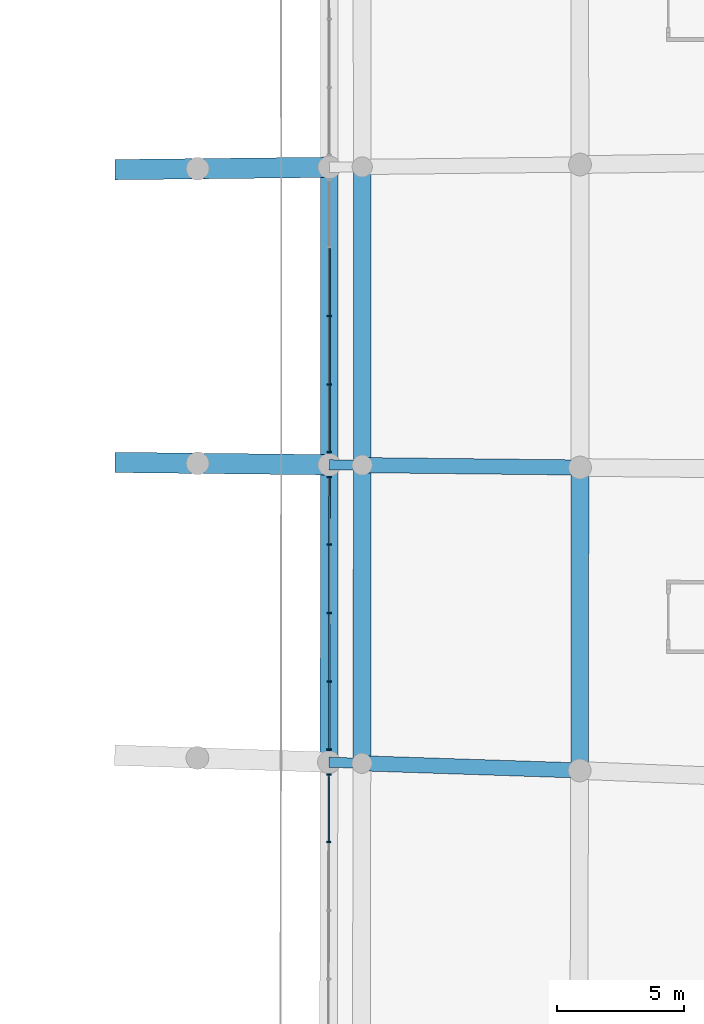
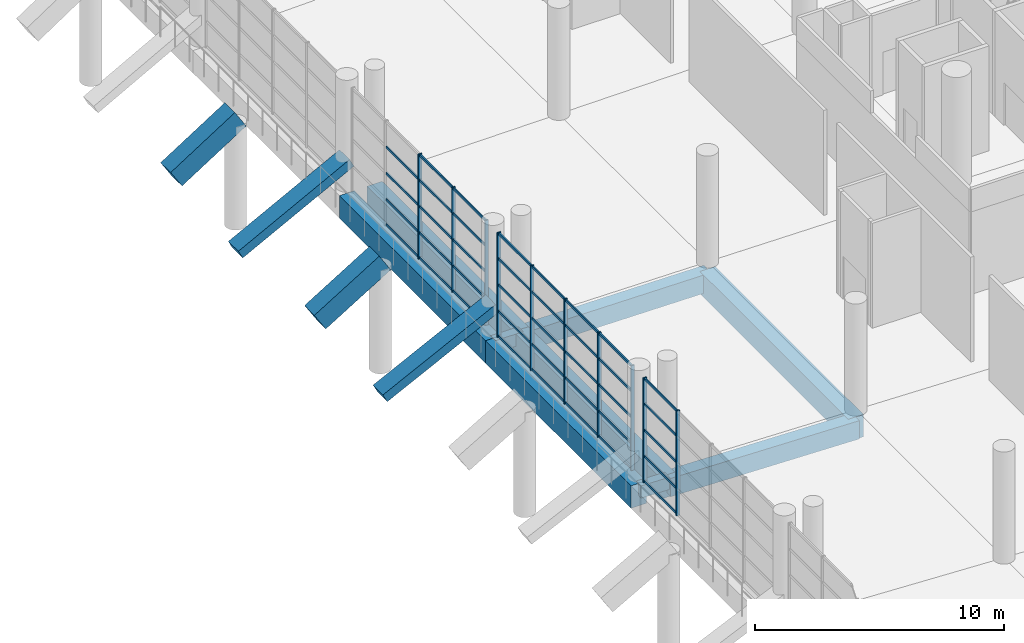
# One storey, part 56 of 271: 49 members, 13 beams, 3 elements without a shape of their own.
"""IFC4 building model written with IfcOpenShell, lengths in metres."""

from ifc_helpers import new_model, si_unit, direction, frame, origin, origin_2d, place, context, subcontext, project, spatial, rectangle, extrude, material, layer, layer_set, material_profile, profile_set, type_object, element, aggregate, save


model = new_model("IFC4")

# Units and contexts
model_context = context("Model", 3, precision=1e-05, world=origin(), true_north=direction((0.0, 1.0)))
body_context = subcontext(model_context, "Body", "Model", "MODEL_VIEW")
ifc_project = project(units=[si_unit("LENGTHUNIT", "METRE"), si_unit("AREAUNIT", "SQUARE_METRE"), si_unit("VOLUMEUNIT", "CUBIC_METRE"), si_unit("PLANEANGLEUNIT", "RADIAN"), si_unit("MASSUNIT", "GRAM", prefix="KILO")], contexts=[model_context])

# Site, building, storey
site_placement = place(None, origin())
site = spatial("IfcSite", under=ifc_project, at=site_placement, CompositionType="ELEMENT")
building_placement = place(site_placement, origin())
building = spatial("IfcBuilding", under=site, at=building_placement, Name="Meseta Stadium", CompositionType="ELEMENT")
storey_placement = place(building_placement, frame((0.0, 0.0, 6.5)))
storey = spatial("IfcBuildingStorey", under=building, at=storey_placement, Name="L01", CompositionType="ELEMENT", Elevation=6.5)

# Curtain wall, members
ifc_material_1 = material(Name="Aluminium", Category="aluminium")
ifc_layer = layer(ifc_material_1, 0.199951171875)
ifc_layer_set = layer_set([ifc_layer], Name="Club glazing curtain wall")
curtain_wall_type = type_object("IfcCurtainWallType", Name="Club glazing curtain wall", PredefinedType="NOTDEFINED", material=ifc_layer_set)
curtain_wall_1_placement = place(storey_placement, origin())
curtain_wall_1 = element("IfcCurtainWall", 1, at=curtain_wall_1_placement, inside=storey, type_object=curtain_wall_type, Name="Club glazing bay 02", PredefinedType="NOTDEFINED")
ifc_material_2 = material(Name="Aluminium", Category="aluminium")
ifc_material_profile_1 = material_profile(ifc_material_2, rectangle(XDim=0.159912109375, YDim=0.06005859375, at=origin_2d()), Name="CW 160x60")
ifc_profile_set_1 = profile_set([ifc_material_profile_1], Name="Aluminium")
member_type_1 = type_object("IfcMemberType", Name="CW mullion 60x160", PredefinedType="MULLION", material=ifc_profile_set_1)
member_1_placement = place(storey_placement, frame((63.58203125, -20.771728515625, 0.0), z_axis=(0.0, 0.0, 1.0), x_axis=(-0.999998297516, 0.0018452545, 0.0)))
member_1 = element("IfcMember", 2, at=member_1_placement, type_object=member_type_1, Name="CWC mullion 4", PredefinedType="MULLION", context=body_context, shape_type="SweptSolid", body=[
    extrude(rectangle(XDim=0.159912109375, YDim=0.06005859375, at=origin_2d()), origin(), (0.0, 0.0, 1.0), 5.14990234375),
])
member_2_placement = place(storey_placement, frame((63.5869140625, -18.097900390625, 0.0), z_axis=(0.0, 0.0, 1.0), x_axis=(-0.999998297516, 0.0018452545, 0.0)))
member_2 = element("IfcMember", 3, at=member_2_placement, type_object=member_type_1, Name="CWC mullion 5", PredefinedType="MULLION", context=body_context, shape_type="SweptSolid", body=[
    extrude(rectangle(XDim=0.159912109375, YDim=0.06005859375, at=origin_2d()), origin(), (0.0, 0.0, 1.0), 5.14990234375),
])

curtain_wall_2_placement = place(storey_placement, origin())
curtain_wall_2 = element("IfcCurtainWall", 4, at=curtain_wall_2_placement, inside=storey, type_object=curtain_wall_type, Name="Club glazing bay 03", PredefinedType="NOTDEFINED")
member_3_placement = place(storey_placement, frame((63.588134765625, -17.10888671875, 0.0), z_axis=(0.0, 0.0, 1.0), x_axis=(-0.999999572613, 0.000924539991, 0.0)))
member_3 = element("IfcMember", 5, at=member_3_placement, type_object=member_type_1, Name="CWC mullion 1", PredefinedType="MULLION", context=body_context, shape_type="SweptSolid", body=[
    extrude(rectangle(XDim=0.159912109375, YDim=0.06005859375, at=origin_2d()), origin(), (0.0, 0.0, 1.0), 5.14990234375),
])
member_4_placement = place(storey_placement, frame((63.5908203125, -14.434814453125, 0.0), z_axis=(0.0, 0.0, 1.0), x_axis=(-0.999999572613, 0.000924539991, 0.0)))
member_4 = element("IfcMember", 6, at=member_4_placement, type_object=member_type_1, Name="CWC mullion 2", PredefinedType="MULLION", context=body_context, shape_type="SweptSolid", body=[
    extrude(rectangle(XDim=0.159912109375, YDim=0.06005859375, at=origin_2d()), origin(), (0.0, 0.0, 1.0), 5.14990234375),
])
member_5_placement = place(storey_placement, frame((63.59326171875, -11.730712890625, 0.0), z_axis=(0.0, 0.0, 1.0), x_axis=(-0.999999572613, 0.000924539991, 0.0)))
member_5 = element("IfcMember", 7, at=member_5_placement, type_object=member_type_1, Name="CWC mullion 3", PredefinedType="MULLION", context=body_context, shape_type="SweptSolid", body=[
    extrude(rectangle(XDim=0.159912109375, YDim=0.06005859375, at=origin_2d()), origin(), (0.0, 0.0, 1.0), 5.14990234375),
])
member_6_placement = place(storey_placement, frame((63.595703125, -9.02685546875, 0.0), z_axis=(0.0, 0.0, 1.0), x_axis=(-0.999999572613, 0.000924539991, 0.0)))
member_6 = element("IfcMember", 8, at=member_6_placement, type_object=member_type_1, Name="CWC mullion 4", PredefinedType="MULLION", context=body_context, shape_type="SweptSolid", body=[
    extrude(rectangle(XDim=0.159912109375, YDim=0.06005859375, at=origin_2d()), origin(), (0.0, 0.0, 1.0), 5.14990234375),
])
member_7_placement = place(storey_placement, frame((63.59814453125, -6.352783203125, 0.0), z_axis=(0.0, 0.0, 1.0), x_axis=(-0.999999572613, 0.000924539991, 0.0)))
member_7 = element("IfcMember", 9, at=member_7_placement, type_object=member_type_1, Name="CWC mullion 5", PredefinedType="MULLION", context=body_context, shape_type="SweptSolid", body=[
    extrude(rectangle(XDim=0.159912109375, YDim=0.06005859375, at=origin_2d()), origin(), (0.0, 0.0, 1.0), 5.14990234375),
])

curtain_wall_3_placement = place(storey_placement, origin())
curtain_wall_3 = element("IfcCurtainWall", 10, at=curtain_wall_3_placement, inside=storey, type_object=curtain_wall_type, Name="Club glazing bay 04", PredefinedType="NOTDEFINED")
member_8_placement = place(storey_placement, frame((63.5986328125, -5.36376953125, 0.0), z_axis=(0.0, 0.0, 1.0), x_axis=(-1.0, 0.0, 0.0)))
member_8 = element("IfcMember", 11, at=member_8_placement, type_object=member_type_1, Name="CWC mullion 1", PredefinedType="MULLION", context=body_context, shape_type="SweptSolid", body=[
    extrude(rectangle(XDim=0.159912109375, YDim=0.06005859375, at=origin_2d()), origin(), (0.0, 0.0, 1.0), 5.14990234375),
])
member_9_placement = place(storey_placement, frame((63.5986328125, -2.697021484375, 0.0), z_axis=(0.0, 0.0, 1.0), x_axis=(-1.0, 0.0, 0.0)))
member_9 = element("IfcMember", 12, at=member_9_placement, type_object=member_type_1, Name="CWC mullion 2", PredefinedType="MULLION", context=body_context, shape_type="SweptSolid", body=[
    extrude(rectangle(XDim=0.159912109375, YDim=0.06005859375, at=origin_2d()), origin(), (0.0, 0.0, 1.0), 5.14990234375),
])
member_10_placement = place(storey_placement, frame((63.5986328125, 0.0, 0.0), z_axis=(0.0, 0.0, 1.0), x_axis=(-1.0, 0.0, 0.0)))
member_10 = element("IfcMember", 13, at=member_10_placement, type_object=member_type_1, Name="CWC mullion 3", PredefinedType="MULLION", context=body_context, shape_type="SweptSolid", body=[
    extrude(rectangle(XDim=0.159912109375, YDim=0.06005859375, at=origin_2d()), origin(), (0.0, 0.0, 1.0), 5.14990234375),
])

# Member
ifc_material_3 = material(Name="Aluminium", Category="aluminium")
ifc_material_profile_2 = material_profile(ifc_material_3, rectangle(XDim=0.06005859375, YDim=0.1201171875, at=origin_2d()), Name="CW 60x120")
ifc_profile_set_2 = profile_set([ifc_material_profile_2], Name="Aluminium")
member_type_2 = type_object("IfcMemberType", Name="CW transom 60x120", PredefinedType="USERDEFINED", material=ifc_profile_set_2)
member_11_placement = place(storey_placement, frame((63.58203125, -20.74169921875, 0.06005859375), z_axis=(0.00186810808, 0.999998255085, 0.0), x_axis=(-0.999998255085, 0.00186810808, 0.0)))
member_11 = element("IfcMember", 14, at=member_11_placement, type_object=member_type_2, Name="CWC transom 4.1", ObjectType="TRANSOM", PredefinedType="USERDEFINED", context=body_context, shape_type="SweptSolid", body=[
    extrude(rectangle(XDim=0.06005859375, YDim=0.1201171875, at=origin_2d()), origin(), (0.0, 0.0, 1.0), 2.61376953125),
])

member_12_placement = place(storey_placement, frame((63.58203125, -20.74169921875, 1.28759765625), z_axis=(0.00186810808, 0.999998255085, 0.0), x_axis=(-0.999998255085, 0.00186810808, 0.0)))
member_12 = element("IfcMember", 15, at=member_12_placement, type_object=member_type_2, Name="CWC transom 4.2", ObjectType="TRANSOM", PredefinedType="USERDEFINED", context=body_context, shape_type="SweptSolid", body=[
    extrude(rectangle(XDim=0.06005859375, YDim=0.1201171875, at=origin_2d()), origin(), (0.0, 0.0, 1.0), 2.61376953125),
])

member_13_placement = place(storey_placement, frame((63.58203125, -20.74169921875, 2.574951171875), z_axis=(0.00186810808, 0.999998255085, 0.0), x_axis=(-0.999998255085, 0.00186810808, 0.0)))
member_13 = element("IfcMember", 16, at=member_13_placement, type_object=member_type_2, Name="CWC transom 4.3", ObjectType="TRANSOM", PredefinedType="USERDEFINED", context=body_context, shape_type="SweptSolid", body=[
    extrude(rectangle(XDim=0.06005859375, YDim=0.1201171875, at=origin_2d()), origin(), (0.0, 0.0, 1.0), 2.61376953125),
])

member_14_placement = place(storey_placement, frame((63.58203125, -20.74169921875, 3.862548828125), z_axis=(0.00186810808, 0.999998255085, 0.0), x_axis=(-0.999998255085, 0.00186810808, 0.0)))
member_14 = element("IfcMember", 17, at=member_14_placement, type_object=member_type_2, Name="CWC transom 4.4", ObjectType="TRANSOM", PredefinedType="USERDEFINED", context=body_context, shape_type="SweptSolid", body=[
    extrude(rectangle(XDim=0.06005859375, YDim=0.1201171875, at=origin_2d()), origin(), (0.0, 0.0, 1.0), 2.61376953125),
])

member_15_placement = place(storey_placement, frame((63.58203125, -20.74169921875, 5.090087890625), z_axis=(0.00186810808, 0.999998255085, 0.0), x_axis=(-0.999998255085, 0.00186810808, 0.0)))
member_15 = element("IfcMember", 18, at=member_15_placement, type_object=member_type_2, Name="CWC transom 4.5", ObjectType="TRANSOM", PredefinedType="USERDEFINED", context=body_context, shape_type="SweptSolid", body=[
    extrude(rectangle(XDim=0.06005859375, YDim=0.1201171875, at=origin_2d()), origin(), (0.0, 0.0, 1.0), 2.61376953125),
])

aggregate(curtain_wall_1, [member_1, member_2, member_11, member_12, member_13, member_14, member_15])

member_16_placement = place(storey_placement, frame((63.58837890625, -17.078857421875, 0.06005859375), z_axis=(0.000840571292, 0.99999964672, 0.0), x_axis=(-0.99999964672, 0.000840571292, 0.0)))
member_16 = element("IfcMember", 19, at=member_16_placement, type_object=member_type_2, Name="CWC transom 1.1", ObjectType="TRANSOM", PredefinedType="USERDEFINED", context=body_context, shape_type="SweptSolid", body=[
    extrude(rectangle(XDim=0.06005859375, YDim=0.1201171875, at=origin_2d()), origin(), (0.0, 0.0, 1.0), 2.614013671875),
])

member_17_placement = place(storey_placement, frame((63.58837890625, -17.078857421875, 1.28759765625), z_axis=(0.000840571292, 0.99999964672, 0.0), x_axis=(-0.99999964672, 0.000840571292, 0.0)))
member_17 = element("IfcMember", 20, at=member_17_placement, type_object=member_type_2, Name="CWC transom 1.2", ObjectType="TRANSOM", PredefinedType="USERDEFINED", context=body_context, shape_type="SweptSolid", body=[
    extrude(rectangle(XDim=0.06005859375, YDim=0.1201171875, at=origin_2d()), origin(), (0.0, 0.0, 1.0), 2.614013671875),
])

member_18_placement = place(storey_placement, frame((63.58837890625, -17.078857421875, 2.574951171875), z_axis=(0.000840571292, 0.99999964672, 0.0), x_axis=(-0.99999964672, 0.000840571292, 0.0)))
member_18 = element("IfcMember", 21, at=member_18_placement, type_object=member_type_2, Name="CWC transom 1.3", ObjectType="TRANSOM", PredefinedType="USERDEFINED", context=body_context, shape_type="SweptSolid", body=[
    extrude(rectangle(XDim=0.06005859375, YDim=0.1201171875, at=origin_2d()), origin(), (0.0, 0.0, 1.0), 2.614013671875),
])

member_19_placement = place(storey_placement, frame((63.58837890625, -17.078857421875, 3.862548828125), z_axis=(0.000840571292, 0.99999964672, 0.0), x_axis=(-0.99999964672, 0.000840571292, 0.0)))
member_19 = element("IfcMember", 22, at=member_19_placement, type_object=member_type_2, Name="CWC transom 1.4", ObjectType="TRANSOM", PredefinedType="USERDEFINED", context=body_context, shape_type="SweptSolid", body=[
    extrude(rectangle(XDim=0.06005859375, YDim=0.1201171875, at=origin_2d()), origin(), (0.0, 0.0, 1.0), 2.614013671875),
])

member_20_placement = place(storey_placement, frame((63.58837890625, -17.078857421875, 5.090087890625), z_axis=(0.000840571292, 0.99999964672, 0.0), x_axis=(-0.99999964672, 0.000840571292, 0.0)))
member_20 = element("IfcMember", 23, at=member_20_placement, type_object=member_type_2, Name="CWC transom 1.5", ObjectType="TRANSOM", PredefinedType="USERDEFINED", context=body_context, shape_type="SweptSolid", body=[
    extrude(rectangle(XDim=0.06005859375, YDim=0.1201171875, at=origin_2d()), origin(), (0.0, 0.0, 1.0), 2.614013671875),
])

member_21_placement = place(storey_placement, frame((63.5908203125, -14.40478515625, 0.06005859375), z_axis=(0.000923360641, 0.999999573702, 0.0), x_axis=(-0.999999573702, 0.000923360641, 0.0)))
member_21 = element("IfcMember", 24, at=member_21_placement, type_object=member_type_2, Name="CWC transom 2.1", ObjectType="TRANSOM", PredefinedType="USERDEFINED", context=body_context, shape_type="SweptSolid", body=[
    extrude(rectangle(XDim=0.06005859375, YDim=0.1201171875, at=origin_2d()), origin(), (0.0, 0.0, 1.0), 2.64404296875),
])

member_22_placement = place(storey_placement, frame((63.5908203125, -14.40478515625, 1.28759765625), z_axis=(0.000923360641, 0.999999573702, 0.0), x_axis=(-0.999999573702, 0.000923360641, 0.0)))
member_22 = element("IfcMember", 25, at=member_22_placement, type_object=member_type_2, Name="CWC transom 2.2", ObjectType="TRANSOM", PredefinedType="USERDEFINED", context=body_context, shape_type="SweptSolid", body=[
    extrude(rectangle(XDim=0.06005859375, YDim=0.1201171875, at=origin_2d()), origin(), (0.0, 0.0, 1.0), 2.64404296875),
])

member_23_placement = place(storey_placement, frame((63.5908203125, -14.40478515625, 2.574951171875), z_axis=(0.000923360641, 0.999999573702, 0.0), x_axis=(-0.999999573702, 0.000923360641, 0.0)))
member_23 = element("IfcMember", 26, at=member_23_placement, type_object=member_type_2, Name="CWC transom 2.3", ObjectType="TRANSOM", PredefinedType="USERDEFINED", context=body_context, shape_type="SweptSolid", body=[
    extrude(rectangle(XDim=0.06005859375, YDim=0.1201171875, at=origin_2d()), origin(), (0.0, 0.0, 1.0), 2.64404296875),
])

member_24_placement = place(storey_placement, frame((63.5908203125, -14.40478515625, 3.862548828125), z_axis=(0.000923360641, 0.999999573702, 0.0), x_axis=(-0.999999573702, 0.000923360641, 0.0)))
member_24 = element("IfcMember", 27, at=member_24_placement, type_object=member_type_2, Name="CWC transom 2.4", ObjectType="TRANSOM", PredefinedType="USERDEFINED", context=body_context, shape_type="SweptSolid", body=[
    extrude(rectangle(XDim=0.06005859375, YDim=0.1201171875, at=origin_2d()), origin(), (0.0, 0.0, 1.0), 2.64404296875),
])

member_25_placement = place(storey_placement, frame((63.5908203125, -14.40478515625, 5.090087890625), z_axis=(0.000923360641, 0.999999573702, 0.0), x_axis=(-0.999999573702, 0.000923360641, 0.0)))
member_25 = element("IfcMember", 28, at=member_25_placement, type_object=member_type_2, Name="CWC transom 2.5", ObjectType="TRANSOM", PredefinedType="USERDEFINED", context=body_context, shape_type="SweptSolid", body=[
    extrude(rectangle(XDim=0.06005859375, YDim=0.1201171875, at=origin_2d()), origin(), (0.0, 0.0, 1.0), 2.64404296875),
])

member_26_placement = place(storey_placement, frame((63.59326171875, -11.70068359375, 0.06005859375), z_axis=(0.000923445908, 0.999999573624, 0.0), x_axis=(-0.999999573624, 0.000923445908, 0.0)))
member_26 = element("IfcMember", 29, at=member_26_placement, type_object=member_type_2, Name="CWC transom 3.1", ObjectType="TRANSOM", PredefinedType="USERDEFINED", context=body_context, shape_type="SweptSolid", body=[
    extrude(rectangle(XDim=0.06005859375, YDim=0.1201171875, at=origin_2d()), origin(), (0.0, 0.0, 1.0), 2.643798828125),
])

member_27_placement = place(storey_placement, frame((63.59326171875, -11.70068359375, 1.28759765625), z_axis=(0.000923445908, 0.999999573624, 0.0), x_axis=(-0.999999573624, 0.000923445908, 0.0)))
member_27 = element("IfcMember", 30, at=member_27_placement, type_object=member_type_2, Name="CWC transom 3.2", ObjectType="TRANSOM", PredefinedType="USERDEFINED", context=body_context, shape_type="SweptSolid", body=[
    extrude(rectangle(XDim=0.06005859375, YDim=0.1201171875, at=origin_2d()), origin(), (0.0, 0.0, 1.0), 2.643798828125),
])

member_28_placement = place(storey_placement, frame((63.59326171875, -11.70068359375, 2.574951171875), z_axis=(0.000923445908, 0.999999573624, 0.0), x_axis=(-0.999999573624, 0.000923445908, 0.0)))
member_28 = element("IfcMember", 31, at=member_28_placement, type_object=member_type_2, Name="CWC transom 3.3", ObjectType="TRANSOM", PredefinedType="USERDEFINED", context=body_context, shape_type="SweptSolid", body=[
    extrude(rectangle(XDim=0.06005859375, YDim=0.1201171875, at=origin_2d()), origin(), (0.0, 0.0, 1.0), 2.643798828125),
])

member_29_placement = place(storey_placement, frame((63.59326171875, -11.70068359375, 3.862548828125), z_axis=(0.000923445908, 0.999999573624, 0.0), x_axis=(-0.999999573624, 0.000923445908, 0.0)))
member_29 = element("IfcMember", 32, at=member_29_placement, type_object=member_type_2, Name="CWC transom 3.4", ObjectType="TRANSOM", PredefinedType="USERDEFINED", context=body_context, shape_type="SweptSolid", body=[
    extrude(rectangle(XDim=0.06005859375, YDim=0.1201171875, at=origin_2d()), origin(), (0.0, 0.0, 1.0), 2.643798828125),
])

member_30_placement = place(storey_placement, frame((63.59326171875, -11.70068359375, 5.090087890625), z_axis=(0.000923445908, 0.999999573624, 0.0), x_axis=(-0.999999573624, 0.000923445908, 0.0)))
member_30 = element("IfcMember", 33, at=member_30_placement, type_object=member_type_2, Name="CWC transom 3.5", ObjectType="TRANSOM", PredefinedType="USERDEFINED", context=body_context, shape_type="SweptSolid", body=[
    extrude(rectangle(XDim=0.06005859375, YDim=0.1201171875, at=origin_2d()), origin(), (0.0, 0.0, 1.0), 2.643798828125),
])

member_31_placement = place(storey_placement, frame((63.595703125, -8.996826171875, 0.06005859375), z_axis=(0.000933968025, 0.999999563852, 0.0), x_axis=(-0.999999563852, 0.000933968025, 0.0)))
member_31 = element("IfcMember", 34, at=member_31_placement, type_object=member_type_2, Name="CWC transom 4.1", ObjectType="TRANSOM", PredefinedType="USERDEFINED", context=body_context, shape_type="SweptSolid", body=[
    extrude(rectangle(XDim=0.06005859375, YDim=0.1201171875, at=origin_2d()), origin(), (0.0, 0.0, 1.0), 2.614013671875),
])

member_32_placement = place(storey_placement, frame((63.595703125, -8.996826171875, 1.28759765625), z_axis=(0.000933968025, 0.999999563852, 0.0), x_axis=(-0.999999563852, 0.000933968025, 0.0)))
member_32 = element("IfcMember", 35, at=member_32_placement, type_object=member_type_2, Name="CWC transom 4.2", ObjectType="TRANSOM", PredefinedType="USERDEFINED", context=body_context, shape_type="SweptSolid", body=[
    extrude(rectangle(XDim=0.06005859375, YDim=0.1201171875, at=origin_2d()), origin(), (0.0, 0.0, 1.0), 2.614013671875),
])

member_33_placement = place(storey_placement, frame((63.595703125, -8.996826171875, 2.574951171875), z_axis=(0.000933968025, 0.999999563852, 0.0), x_axis=(-0.999999563852, 0.000933968025, 0.0)))
member_33 = element("IfcMember", 36, at=member_33_placement, type_object=member_type_2, Name="CWC transom 4.3", ObjectType="TRANSOM", PredefinedType="USERDEFINED", context=body_context, shape_type="SweptSolid", body=[
    extrude(rectangle(XDim=0.06005859375, YDim=0.1201171875, at=origin_2d()), origin(), (0.0, 0.0, 1.0), 2.614013671875),
])

member_34_placement = place(storey_placement, frame((63.595703125, -8.996826171875, 3.862548828125), z_axis=(0.000933968025, 0.999999563852, 0.0), x_axis=(-0.999999563852, 0.000933968025, 0.0)))
member_34 = element("IfcMember", 37, at=member_34_placement, type_object=member_type_2, Name="CWC transom 4.4", ObjectType="TRANSOM", PredefinedType="USERDEFINED", context=body_context, shape_type="SweptSolid", body=[
    extrude(rectangle(XDim=0.06005859375, YDim=0.1201171875, at=origin_2d()), origin(), (0.0, 0.0, 1.0), 2.614013671875),
])

member_35_placement = place(storey_placement, frame((63.595703125, -8.996826171875, 5.090087890625), z_axis=(0.000933968025, 0.999999563852, 0.0), x_axis=(-0.999999563852, 0.000933968025, 0.0)))
member_35 = element("IfcMember", 38, at=member_35_placement, type_object=member_type_2, Name="CWC transom 4.5", ObjectType="TRANSOM", PredefinedType="USERDEFINED", context=body_context, shape_type="SweptSolid", body=[
    extrude(rectangle(XDim=0.06005859375, YDim=0.1201171875, at=origin_2d()), origin(), (0.0, 0.0, 1.0), 2.614013671875),
])

aggregate(curtain_wall_2, [member_3, member_4, member_5, member_6, member_7, member_16, member_17, member_18, member_19, member_20, member_21, member_22, member_23, member_24, member_25, member_26, member_27, member_28, member_29, member_30, member_31, member_32, member_33, member_34, member_35])

member_36_placement = place(storey_placement, frame((63.5986328125, -5.333740234375, 0.06005859375), z_axis=(0.0, 1.0, 0.0), x_axis=(-1.0, 0.0, 0.0)))
member_36 = element("IfcMember", 39, at=member_36_placement, type_object=member_type_2, Name="CWC transom 1.1", ObjectType="TRANSOM", PredefinedType="USERDEFINED", context=body_context, shape_type="SweptSolid", body=[
    extrude(rectangle(XDim=0.06005859375, YDim=0.1201171875, at=origin_2d()), origin(), (0.0, 0.0, 1.0), 2.60693359375),
])

member_37_placement = place(storey_placement, frame((63.5986328125, -5.333740234375, 1.28759765625), z_axis=(0.0, 1.0, 0.0), x_axis=(-1.0, 0.0, 0.0)))
member_37 = element("IfcMember", 40, at=member_37_placement, type_object=member_type_2, Name="CWC transom 1.2", ObjectType="TRANSOM", PredefinedType="USERDEFINED", context=body_context, shape_type="SweptSolid", body=[
    extrude(rectangle(XDim=0.06005859375, YDim=0.1201171875, at=origin_2d()), origin(), (0.0, 0.0, 1.0), 2.60693359375),
])

member_38_placement = place(storey_placement, frame((63.5986328125, -5.333740234375, 2.574951171875), z_axis=(0.0, 1.0, 0.0), x_axis=(-1.0, 0.0, 0.0)))
member_38 = element("IfcMember", 41, at=member_38_placement, type_object=member_type_2, Name="CWC transom 1.3", ObjectType="TRANSOM", PredefinedType="USERDEFINED", context=body_context, shape_type="SweptSolid", body=[
    extrude(rectangle(XDim=0.06005859375, YDim=0.1201171875, at=origin_2d()), origin(), (0.0, 0.0, 1.0), 2.60693359375),
])

member_39_placement = place(storey_placement, frame((63.5986328125, -5.333740234375, 3.862548828125), z_axis=(0.0, 1.0, 0.0), x_axis=(-1.0, 0.0, 0.0)))
member_39 = element("IfcMember", 42, at=member_39_placement, type_object=member_type_2, Name="CWC transom 1.4", ObjectType="TRANSOM", PredefinedType="USERDEFINED", context=body_context, shape_type="SweptSolid", body=[
    extrude(rectangle(XDim=0.06005859375, YDim=0.1201171875, at=origin_2d()), origin(), (0.0, 0.0, 1.0), 2.60693359375),
])

member_40_placement = place(storey_placement, frame((63.5986328125, -5.333740234375, 5.090087890625), z_axis=(0.0, 1.0, 0.0), x_axis=(-1.0, 0.0, 0.0)))
member_40 = element("IfcMember", 43, at=member_40_placement, type_object=member_type_2, Name="CWC transom 1.5", ObjectType="TRANSOM", PredefinedType="USERDEFINED", context=body_context, shape_type="SweptSolid", body=[
    extrude(rectangle(XDim=0.06005859375, YDim=0.1201171875, at=origin_2d()), origin(), (0.0, 0.0, 1.0), 2.60693359375),
])

member_41_placement = place(storey_placement, frame((63.5986328125, -2.6669921875, 0.06005859375), z_axis=(0.0, 1.0, 0.0), x_axis=(-1.0, 0.0, 0.0)))
member_41 = element("IfcMember", 44, at=member_41_placement, type_object=member_type_2, Name="CWC transom 2.1", ObjectType="TRANSOM", PredefinedType="USERDEFINED", context=body_context, shape_type="SweptSolid", body=[
    extrude(rectangle(XDim=0.06005859375, YDim=0.1201171875, at=origin_2d()), origin(), (0.0, 0.0, 1.0), 2.636962890625),
])

member_42_placement = place(storey_placement, frame((63.5986328125, -2.6669921875, 1.28759765625), z_axis=(0.0, 1.0, 0.0), x_axis=(-1.0, 0.0, 0.0)))
member_42 = element("IfcMember", 45, at=member_42_placement, type_object=member_type_2, Name="CWC transom 2.2", ObjectType="TRANSOM", PredefinedType="USERDEFINED", context=body_context, shape_type="SweptSolid", body=[
    extrude(rectangle(XDim=0.06005859375, YDim=0.1201171875, at=origin_2d()), origin(), (0.0, 0.0, 1.0), 2.636962890625),
])

member_43_placement = place(storey_placement, frame((63.5986328125, -2.6669921875, 2.574951171875), z_axis=(0.0, 1.0, 0.0), x_axis=(-1.0, 0.0, 0.0)))
member_43 = element("IfcMember", 46, at=member_43_placement, type_object=member_type_2, Name="CWC transom 2.3", ObjectType="TRANSOM", PredefinedType="USERDEFINED", context=body_context, shape_type="SweptSolid", body=[
    extrude(rectangle(XDim=0.06005859375, YDim=0.1201171875, at=origin_2d()), origin(), (0.0, 0.0, 1.0), 2.636962890625),
])

member_44_placement = place(storey_placement, frame((63.5986328125, -2.6669921875, 3.862548828125), z_axis=(0.0, 1.0, 0.0), x_axis=(-1.0, 0.0, 0.0)))
member_44 = element("IfcMember", 47, at=member_44_placement, type_object=member_type_2, Name="CWC transom 2.4", ObjectType="TRANSOM", PredefinedType="USERDEFINED", context=body_context, shape_type="SweptSolid", body=[
    extrude(rectangle(XDim=0.06005859375, YDim=0.1201171875, at=origin_2d()), origin(), (0.0, 0.0, 1.0), 2.636962890625),
])

member_45_placement = place(storey_placement, frame((63.5986328125, -2.6669921875, 5.090087890625), z_axis=(0.0, 1.0, 0.0), x_axis=(-1.0, 0.0, 0.0)))
member_45 = element("IfcMember", 48, at=member_45_placement, type_object=member_type_2, Name="CWC transom 2.5", ObjectType="TRANSOM", PredefinedType="USERDEFINED", context=body_context, shape_type="SweptSolid", body=[
    extrude(rectangle(XDim=0.06005859375, YDim=0.1201171875, at=origin_2d()), origin(), (0.0, 0.0, 1.0), 2.636962890625),
])

member_46_placement = place(storey_placement, frame((63.5986328125, 0.030029296875, 0.06005859375), z_axis=(0.0, 1.0, 0.0), x_axis=(-1.0, 0.0, 0.0)))
member_46 = element("IfcMember", 49, at=member_46_placement, type_object=member_type_2, Name="CWC transom 3.1", ObjectType="TRANSOM", PredefinedType="USERDEFINED", context=body_context, shape_type="SweptSolid", body=[
    extrude(rectangle(XDim=0.06005859375, YDim=0.1201171875, at=origin_2d()), origin(), (0.0, 0.0, 1.0), 2.636962890625),
])

member_47_placement = place(storey_placement, frame((63.5986328125, 0.030029296875, 1.28759765625), z_axis=(0.0, 1.0, 0.0), x_axis=(-1.0, 0.0, 0.0)))
member_47 = element("IfcMember", 50, at=member_47_placement, type_object=member_type_2, Name="CWC transom 3.2", ObjectType="TRANSOM", PredefinedType="USERDEFINED", context=body_context, shape_type="SweptSolid", body=[
    extrude(rectangle(XDim=0.06005859375, YDim=0.1201171875, at=origin_2d()), origin(), (0.0, 0.0, 1.0), 2.636962890625),
])

member_48_placement = place(storey_placement, frame((63.5986328125, 0.030029296875, 2.574951171875), z_axis=(0.0, 1.0, 0.0), x_axis=(-1.0, 0.0, 0.0)))
member_48 = element("IfcMember", 51, at=member_48_placement, type_object=member_type_2, Name="CWC transom 3.3", ObjectType="TRANSOM", PredefinedType="USERDEFINED", context=body_context, shape_type="SweptSolid", body=[
    extrude(rectangle(XDim=0.06005859375, YDim=0.1201171875, at=origin_2d()), origin(), (0.0, 0.0, 1.0), 2.636962890625),
])

member_49_placement = place(storey_placement, frame((63.5986328125, 0.030029296875, 3.862548828125), z_axis=(0.0, 1.0, 0.0), x_axis=(-1.0, 0.0, 0.0)))
member_49 = element("IfcMember", 52, at=member_49_placement, type_object=member_type_2, Name="CWC transom 3.4", ObjectType="TRANSOM", PredefinedType="USERDEFINED", context=body_context, shape_type="SweptSolid", body=[
    extrude(rectangle(XDim=0.06005859375, YDim=0.1201171875, at=origin_2d()), origin(), (0.0, 0.0, 1.0), 2.636962890625),
])

aggregate(curtain_wall_3, [member_8, member_9, member_10, member_36, member_37, member_38, member_39, member_40, member_41, member_42, member_43, member_44, member_45, member_46, member_47, member_48, member_49])

# Beams
ifc_material_4 = material(Name="Concrete C40/50", Category="concrete")
ifc_material_profile_3 = material_profile(ifc_material_4, rectangle(XDim=0.39990234375, YDim=0.60009765625, at=origin_2d()), Name="RC 400x600")
ifc_profile_set_3 = profile_set([ifc_material_profile_3], Name="Concrete C40/50")
beam_type_1 = type_object("IfcBeamType", Name="RC beam 400x600", PredefinedType="BEAM", material=ifc_profile_set_3)
for number, where, z_axis, x_axis, name in (
    (53, (63.587890625, -17.617919921875, -0.64990234375), (0.99945362659, -0.033052205614, 0.0), (0.033052205614, 0.99945362659, 0.0), "L01 radial beam frame 3 line C to D"),
    (54, (63.5986328125, -5.872802734375, -0.64990234375), (0.999940687241, -0.010891372744, 0.0), (0.010891372744, 0.999940687241, 0.0), "L01 radial beam frame 4 line C to D"),
):
    element("IfcBeam", number, at=place(storey_placement, frame(where, z_axis=z_axis, x_axis=x_axis)), inside=storey, type_object=beam_type_1, Name=name, PredefinedType="BEAM", context=body_context, shape_type="SweptSolid", body=[
        extrude(rectangle(XDim=0.39990234375, YDim=0.60009765625, at=origin_2d()), origin(), (0.0, 0.0, 1.0), 1.300048828125),
    ])
ifc_material_5 = material(Name="Concrete C40/50", Category="concrete")
ifc_material_profile_4 = material_profile(ifc_material_5, rectangle(XDim=0.60009765625, YDim=0.89990234375, at=origin_2d()), Name="RC 600x900")
ifc_profile_set_4 = profile_set([ifc_material_profile_4], Name="Concrete C40/50")
beam_type_2 = type_object("IfcBeamType", Name="RC beam 600x900", PredefinedType="BEAM", material=ifc_profile_set_4)
for number, where, z_axis, x_axis, name in (
    (55, (64.88720703125, -17.660888671875, -0.800048828125), (0.999459492737, -0.032874342231, 0.0), (0.032874342231, 0.999459492737, 0.0), "L01 radial beam frame 3 line D to E"),
    (56, (64.898681640625, -5.886962890625, -0.800048828125), (0.999939958323, -0.010958090563, 0.0), (0.010958090563, 0.999939958323, 0.0), "L01 radial beam frame 4 line D to E"),
):
    element("IfcBeam", number, at=place(storey_placement, frame(where, z_axis=z_axis, x_axis=x_axis)), inside=storey, type_object=beam_type_2, Name=name, PredefinedType="BEAM", context=body_context, shape_type="SweptSolid", body=[
        extrude(rectangle(XDim=0.60009765625, YDim=0.89990234375, at=origin_2d()), origin(), (0.0, 0.0, 1.0), 8.599853515625),
    ])
ifc_material_6 = material(Name="Concrete C40/50", Category="concrete")
ifc_material_profile_5 = material_profile(ifc_material_6, rectangle(XDim=0.699951171875, YDim=1.10009765625, at=origin_2d()), Name="RC 700x1100")
ifc_profile_set_5 = profile_set([ifc_material_profile_5], Name="Concrete C40/50")
beam_type_3 = type_object("IfcBeamType", Name="RC beam 700x1100", PredefinedType="BEAM", material=ifc_profile_set_5)
beam_1_placement = place(storey_placement, frame((63.587890625, -17.617919921875, -0.89990234375), z_axis=(0.000914608414, 0.999999581746, 0.0), x_axis=(-0.999999581746, 0.000914608414, 0.0)))
element("IfcBeam", 57, at=beam_1_placement, inside=storey, type_object=beam_type_3, Name="L01 ring beam frame 3 line C", PredefinedType="BEAM", context=body_context, shape_type="SweptSolid", body=[
    extrude(rectangle(XDim=0.699951171875, YDim=1.10009765625, at=origin_2d()), origin(), (0.0, 0.0, 1.0), 11.7451171875),
])
beam_2_placement = place(storey_placement, frame((64.88720703125, -17.660888671875, -0.89990234375), z_axis=(0.000974577566, 0.999999525099, 0.0), x_axis=(-0.999999525099, 0.000974577566, 0.0)))
element("IfcBeam", 58, at=beam_2_placement, inside=storey, type_object=beam_type_3, Name="L01 ring beam frame 3 line D", PredefinedType="BEAM", context=body_context, shape_type="SweptSolid", body=[
    extrude(rectangle(XDim=0.699951171875, YDim=1.10009765625, at=origin_2d()), origin(), (0.0, 0.0, 1.0), 11.77392578125),
])
beam_3_placement = place(storey_placement, frame((73.482421875, -17.943603515625, -0.89990234375), z_axis=(0.001306174648, 0.999999146954, 0.0), x_axis=(-0.999999146954, 0.001306174648, 0.0)))
element("IfcBeam", 59, at=beam_3_placement, inside=storey, type_object=beam_type_3, Name="L01 ring beam frame 3 line E", PredefinedType="BEAM", context=body_context, shape_type="SweptSolid", body=[
    extrude(rectangle(XDim=0.699951171875, YDim=1.10009765625, at=origin_2d()), origin(), (0.0, 0.0, 1.0), 11.96240234375),
])
beam_4_placement = place(storey_placement, frame((63.5986328125, -5.872802734375, -0.89990234375), z_axis=(0.0, 1.0, 0.0), x_axis=(-1.0, 0.0, 0.0)))
element("IfcBeam", 60, at=beam_4_placement, inside=storey, type_object=beam_type_3, Name="L01 ring beam frame 4 line C", PredefinedType="BEAM", context=body_context, shape_type="SweptSolid", body=[
    extrude(rectangle(XDim=0.699951171875, YDim=1.10009765625, at=origin_2d()), origin(), (0.0, 0.0, 1.0), 11.74560546875),
])
beam_5_placement = place(storey_placement, frame((64.898681640625, -5.886962890625, -0.89990234375), z_axis=(0.0, 1.0, 0.0), x_axis=(-1.0, 0.0, 0.0)))
element("IfcBeam", 61, at=beam_5_placement, inside=storey, type_object=beam_type_3, Name="L01 ring beam frame 4 line D", PredefinedType="BEAM", context=body_context, shape_type="SweptSolid", body=[
    extrude(rectangle(XDim=0.699951171875, YDim=1.10009765625, at=origin_2d()), origin(), (0.0, 0.0, 1.0), 11.77392578125),
])
ifc_material_7 = material(Name="Concrete C40/50", Category="concrete")
ifc_material_profile_6 = material_profile(ifc_material_7, rectangle(XDim=0.800048828125, YDim=0.449951171875, at=origin_2d()), Name="RC 800x450")
ifc_profile_set_6 = profile_set([ifc_material_profile_6], Name="Concrete C40/50")
beam_type_4 = type_object("IfcBeamType", Name="RC raker lower 800x450", PredefinedType="USERDEFINED", material=ifc_profile_set_6)
for number, where, z_axis, x_axis, name in (
    (62, (58.39892578125, -5.81591796875, -1.27197265625), (0.890792815465, -0.009745268382, 0.454305172391), (0.010939339756, 0.999940163633, 0.0), "Raker lower frame 4 lower tier"),
    (63, (58.39892578125, 5.81591796875, -1.27197265625), (0.890792815465, 0.009745268382, 0.454305172391), (-0.010939339756, 0.999940163633, 0.0), "Raker lower frame 5 lower tier"),
):
    element("IfcBeam", number, at=place(storey_placement, frame(where, z_axis=z_axis, x_axis=x_axis)), inside=storey, type_object=beam_type_4, Name=name, ObjectType="RAKER", PredefinedType="USERDEFINED", context=body_context, shape_type="SweptSolid", body=[
        extrude(rectangle(XDim=0.800048828125, YDim=0.449951171875, at=origin_2d()), origin(), (0.0, 0.0, 1.0), 5.837158203125),
    ])
ifc_material_8 = material(Name="Concrete C40/50", Category="concrete")
ifc_material_profile_7 = material_profile(ifc_material_8, rectangle(XDim=0.800048828125, YDim=1.0, at=origin_2d()), Name="RC 800x1000")
ifc_profile_set_7 = profile_set([ifc_material_profile_7], Name="Concrete C40/50")
beam_type_5 = type_object("IfcBeamType", Name="RC raker upper front 800x1000", PredefinedType="USERDEFINED", material=ifc_profile_set_7)
for number, where, z_axis, x_axis, name in (
    (64, (55.399169921875, -5.782958984375, 3.49755859375), (0.847942115284, -0.009316528491, 0.530006954129), (0.010986559144, 0.999939645938, 0.0), "Raker upper front frame 4 upper tier"),
    (65, (55.399169921875, 5.782958984375, 3.49755859375), (0.847942115284, 0.009316528491, 0.530006954129), (-0.010986559144, 0.999939645938, 0.0), "Raker upper front frame 5 upper tier"),
):
    element("IfcBeam", number, at=place(storey_placement, frame(where, z_axis=z_axis, x_axis=x_axis)), inside=storey, type_object=beam_type_5, Name=name, ObjectType="RAKER", PredefinedType="USERDEFINED", context=body_context, shape_type="SweptSolid", body=[
        extrude(rectangle(XDim=0.800048828125, YDim=1.0, at=origin_2d()), origin(), (0.0, 0.0, 1.0), 3.53759765625),
    ])

save(model, "model.ifc")
